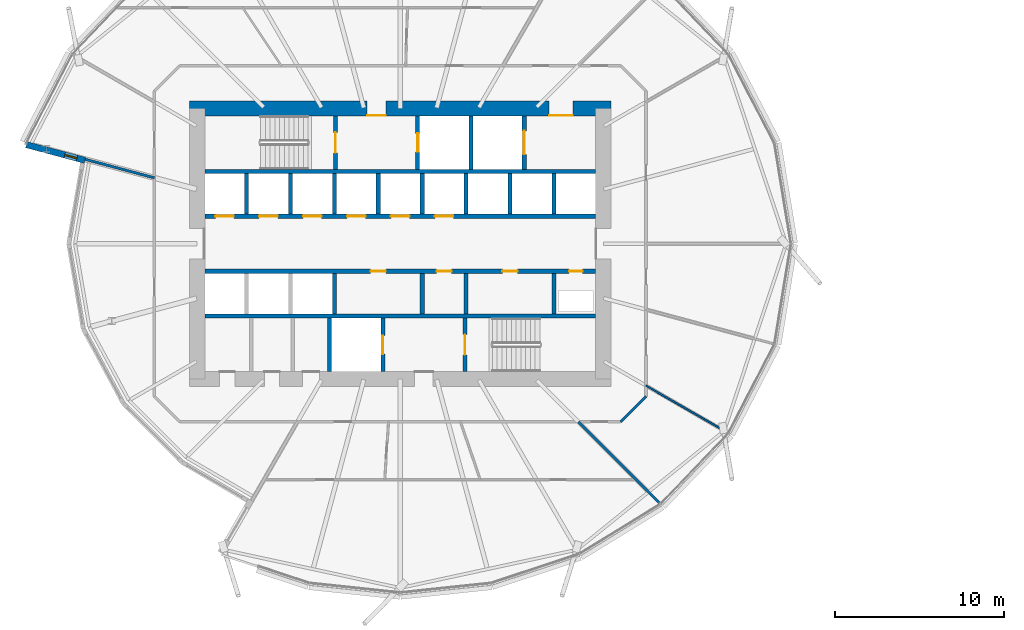
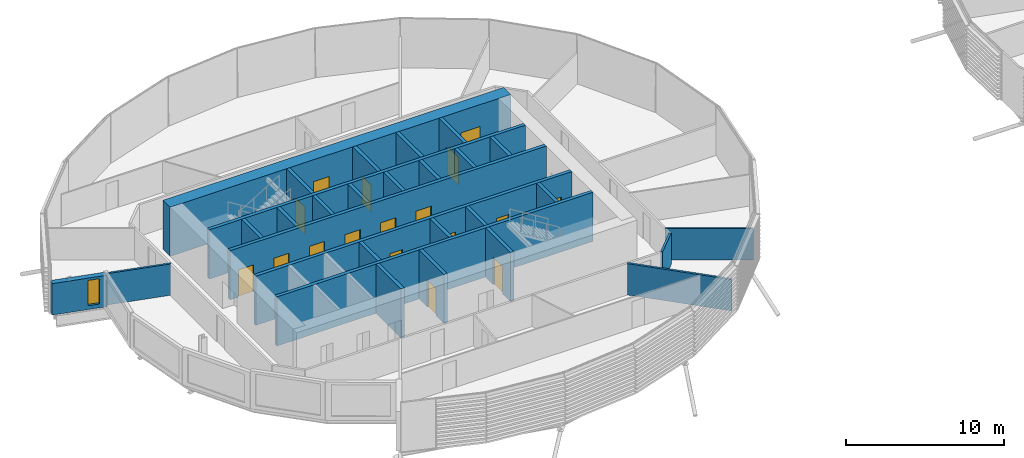
# One storey, part 22 of 37: 29 walls, 17 doors, 1 window, 18 openings.
"""IFC4 building model written with IfcOpenShell, lengths in metres."""

from ifc_helpers import new_model, si_unit, direction, frame, frame_2d, origin, place, context, subcontext, project, spatial, rectangle, extrude, material, layer, layer_set, type_object, element, fill, save


model = new_model("IFC4")

# Units and contexts
model_context = context("Model", 3, precision=1e-05, world=origin(), true_north=direction((0.0, 1.0)))
body_context = subcontext(model_context, "Body", "Model", "MODEL_VIEW")
ifc_project = project(units=[si_unit("LENGTHUNIT", "METRE"), si_unit("AREAUNIT", "SQUARE_METRE"), si_unit("VOLUMEUNIT", "CUBIC_METRE"), si_unit("PLANEANGLEUNIT", "RADIAN"), si_unit("MASSUNIT", "GRAM", prefix="KILO")], contexts=[model_context])

# Site, building, storey
site_placement = place(None, origin())
site = spatial("IfcSite", under=ifc_project, at=site_placement, CompositionType="ELEMENT")
building_placement = place(site_placement, origin())
building = spatial("IfcBuilding", under=site, at=building_placement, Name="Rimbun Link Towers", CompositionType="ELEMENT")
storey_placement = place(building_placement, frame((0.0, 0.0, 60.39990234375)))
storey = spatial("IfcBuildingStorey", under=building, at=storey_placement, Name="L14", CompositionType="ELEMENT", Elevation=60.39990234375)

# Wall, opening, window
ifc_material_1 = material(Name="Dark enamelled glass spandrel on insulated aluminium backpan", Category="aluminium")
ifc_layer_1 = layer(ifc_material_1, 0.3701171875)
ifc_layer_set_1 = layer_set([ifc_layer_1], Name="CS dark enamelled spandrel wall 370")
wall_type_1 = type_object("IfcWallType", Name="CS dark enamelled spandrel wall 370", PredefinedType="STANDARD", material=ifc_layer_set_1)
wall_1_placement = place(storey_placement, frame((-50.38671875, 4.926513671875, 0.0), z_axis=(0.0, 0.0, 1.0), x_axis=(-0.965929787715, 0.258804260405, 0.0)))
wall_1 = element("IfcWall", 1, at=wall_1_placement, inside=storey, type_object=wall_type_1, Name="Crease spandrel wall", PredefinedType="STANDARD", context=body_context, shape_type="SweptSolid", body=[
    extrude(rectangle(XDim=3.580078125, YDim=0.3701171875, at=frame_2d((1.7900390625, 0.0))), origin(), (0.0, 0.0, 1.0), 2.43017578125),
])
opening_1_placement = place(wall_1_placement, frame((0.48193359375, 0.0, 0.300048828125)))
opening_1 = element("IfcOpeningElement", 2, at=opening_1_placement, cuts=wall_1, Name="Opening WR08H195", PredefinedType="OPENING", context=body_context, shape_type="SweptSolid", body=[
    extrude(rectangle(XDim=0.75, YDim=1.949951171875, at=frame_2d((0.375, 0.97509765625))), frame((0.0, 0.195068359375, 0.0), z_axis=(0.0, -1.0, 0.0), x_axis=(1.0, 0.0, 0.0)), (0.0, 0.0, 1.0), 0.39013671875),
])
ifc_material_2 = material(Name="Aluminium framed fixed window, dark tinted low-e glass", Category="aluminium")
window_type = type_object("IfcWindowType", Name="WR ribbon window 750X1950", PartitioningType="SINGLE_PANEL", PredefinedType="WINDOW", material=ifc_material_2)
window_placement = place(opening_1_placement, origin())
window = element("IfcWindow", 3, at=window_placement, inside=storey, type_object=window_type, Name="Crease ribbon window", OverallHeight=1.949951171875, OverallWidth=0.75, PartitioningType="SINGLE_PANEL", PredefinedType="WINDOW", context=body_context, shape_type="SweptSolid", body=[
    extrude(rectangle(XDim=0.75, YDim=1.949951171875, at=frame_2d((0.375, 0.97509765625))), frame((0.0, 0.030029296875, 0.0), z_axis=(0.0, -1.0, 0.0), x_axis=(1.0, 0.0, 0.0)), (0.0, 0.0, 1.0), 0.06005859375),
])
fill(opening_1, window)

# Wall, openings, doors
ifc_material_3 = material(Name="Concrete C60/75", Category="concrete")
ifc_layer_2 = layer(ifc_material_3, 0.89990234375)
ifc_layer_set_2 = layer_set([ifc_layer_2], Name="Core shear wall 900")
wall_type_2 = type_object("IfcWallType", Name="Core shear wall 900", PredefinedType="SHEAR", material=ifc_layer_set_2)
wall_2_placement = place(storey_placement, frame((-44.199951171875, 8.0, 0.0), z_axis=(0.0, 0.0, 1.0), x_axis=(1.0, 0.0, 0.0)))
wall_2 = element("IfcWall", 4, at=wall_2_placement, inside=storey, type_object=wall_type_2, Name="L14 T1 core wall N", PredefinedType="SHEAR", context=body_context, shape_type="SweptSolid", body=[
    extrude(rectangle(XDim=24.89990234375, YDim=0.89990234375, at=frame_2d((12.449951171875, 0.0))), origin(), (0.0, 0.0, 1.0), 3.800048828125),
])
opening_2_placement = place(wall_2_placement, frame((10.5, 0.0, 0.0)))
opening_2 = element("IfcOpeningElement", 5, at=opening_2_placement, cuts=wall_2, Name="Opening C1DCF01N", PredefinedType="OPENING", context=body_context, shape_type="SweptSolid", body=[
    extrude(rectangle(XDim=1.10009765625, YDim=2.10009765625, at=frame_2d((0.550048828125, 1.050048828125))), frame((0.0, 0.4599609375, 0.0), z_axis=(0.0, -1.0, 0.0), x_axis=(1.0, 0.0, 0.0)), (0.0, 0.0, 1.0), 0.919921875),
])
opening_3_placement = place(wall_2_placement, frame((21.25, 0.0, 0.0)))
opening_3 = element("IfcOpeningElement", 6, at=opening_3_placement, cuts=wall_2, Name="Opening C1DSL02N", PredefinedType="OPENING", context=body_context, shape_type="SweptSolid", body=[
    extrude(rectangle(XDim=1.39990234375, YDim=2.10009765625, at=frame_2d((0.699951171875, 1.050048828125))), frame((0.0, 0.4599609375, 0.0), z_axis=(0.0, -1.0, 0.0), x_axis=(1.0, 0.0, 0.0)), (0.0, 0.0, 1.0), 0.919921875),
])
ifc_material_4 = material(Name="Steel fire door set", Category="steel")
door_type_1 = type_object("IfcDoorType", Name="Core fire door single", OperationType="SINGLE_SWING_LEFT", PredefinedType="DOOR", material=ifc_material_4)
door_1_placement = place(opening_2_placement, origin())
door_1 = element("IfcDoor", 7, at=door_1_placement, inside=storey, type_object=door_type_1, Name="L14 T1 firefighting lobby n door", OperationType="SINGLE_SWING_LEFT", OverallHeight=2.10009765625, OverallWidth=1.10009765625, PredefinedType="DOOR", context=body_context, shape_type="SweptSolid", body=[
    extrude(rectangle(XDim=1.10009765625, YDim=2.10009765625, at=frame_2d((0.550048828125, 1.050048828125))), frame((0.0, -0.39990234375, 0.0), z_axis=(0.0, -1.0, 0.0), x_axis=(1.0, 0.0, 0.0)), (0.0, 0.0, 1.0), 0.050048828125),
])
fill(opening_2, door_1)
ifc_material_5 = material(Name="Steel fire door set", Category="steel")
door_type_2 = type_object("IfcDoorType", Name="Service lobby door double", OperationType="DOUBLE_DOOR_SINGLE_SWING", PredefinedType="DOOR", material=ifc_material_5)
door_2_placement = place(opening_3_placement, origin())
door_2 = element("IfcDoor", 8, at=door_2_placement, inside=storey, type_object=door_type_2, Name="L14 T1 service lobby door", OperationType="DOUBLE_DOOR_SINGLE_SWING", OverallHeight=2.10009765625, OverallWidth=1.39990234375, PredefinedType="DOOR", context=body_context, shape_type="SweptSolid", body=[
    extrude(rectangle(XDim=1.39990234375, YDim=2.10009765625, at=frame_2d((0.699951171875, 1.050048828125))), frame((0.0, -0.39990234375, 0.0), z_axis=(0.0, -1.0, 0.0), x_axis=(1.0, 0.0, 0.0)), (0.0, 0.0, 1.0), 0.050048828125),
])
fill(opening_3, door_2)

# Walls
ifc_material_6 = material(Name="Plasterboard on steel stud, mineral wool", Category="steel")
ifc_layer_3 = layer(ifc_material_6, 0.14990234375)
ifc_layer_set_3 = layer_set([ifc_layer_3], Name="Corridor wall EI 30 150 mm")
wall_type_3 = type_object("IfcWallType", Name="Corridor wall EI 30 150 mm", PredefinedType="PARTITIONING", material=ifc_layer_set_3)
wall_3_placement = place(storey_placement, frame((-18.723388671875, -10.52490234375, 0.0), z_axis=(0.0, 0.0, 1.0), x_axis=(0.707106781187, 0.707106781187, 0.0)))
element("IfcWall", 9, at=wall_3_placement, inside=storey, type_object=wall_type_3, Name="Corridor wall EI 30 150 mm", PredefinedType="PARTITIONING", context=body_context, shape_type="SweptSolid", body=[
    extrude(rectangle(XDim=2.118896484375, YDim=0.14990234375, at=frame_2d((1.0595703125, 0.0))), origin(), (0.0, 0.0, 1.0), 2.420166015625),
])
ifc_material_7 = material(Name="Plasterboard on steel stud", Category="steel")
ifc_layer_4 = layer(ifc_material_7, 0.10009765625)
ifc_layer_set_4 = layer_set([ifc_layer_4], Name="Plasterboard partition 100 mm")
wall_type_4 = type_object("IfcWallType", Name="Plasterboard partition 100 mm", PredefinedType="PARTITIONING", material=ifc_layer_set_4)
wall_4_placement = place(storey_placement, frame((-12.37646484375, -11.185302734375, 0.0), z_axis=(0.0, 0.0, 1.0), x_axis=(-0.866028733576, 0.499994232587, 0.0)))
element("IfcWall", 10, at=wall_4_placement, inside=storey, type_object=wall_type_4, Name="Plasterboard partition 100 mm", PredefinedType="PARTITIONING", context=body_context, shape_type="SweptSolid", body=[
    extrude(rectangle(XDim=5.5986328125, YDim=0.10009765625, at=frame_2d((2.79931640625, 0.0))), origin(), (0.0, 0.0, 1.0), 2.420166015625),
])
ifc_material_8 = material(Name="Concrete C60/75", Category="concrete")
ifc_layer_5 = layer(ifc_material_8, 0.25)
ifc_layer_set_5 = layer_set([ifc_layer_5], Name="Shaft wall 250")
wall_type_5 = type_object("IfcWallType", Name="Shaft wall 250", PredefinedType="SHEAR", material=ifc_layer_set_5)
for number, where, z_axis, x_axis, name in (
    (11, (-43.300048828125, 4.27490234375, 0.0), (0.0, 0.0, 1.0), (1.0, 0.0, 0.0), "L14 T1 core wall BN"),
    (12, (-43.300048828125, -4.27490234375, 0.0), (0.0, 0.0, 1.0), (1.0, 0.0, 0.0), "L14 T1 core wall BS"),
):
    element("IfcWall", number, at=place(storey_placement, frame(where, z_axis=z_axis, x_axis=x_axis)), inside=storey, type_object=wall_type_5, Name=name, PredefinedType="SHEAR", context=body_context, shape_type="SweptSolid", body=[
        extrude(rectangle(XDim=23.10009765625, YDim=0.25, at=frame_2d((11.550048828125, 0.0))), origin(), (0.0, 0.0, 1.0), 3.800048828125),
    ])

# Wall, openings, doors
wall_5_placement = place(storey_placement, frame((-43.300048828125, 1.625, 0.0), z_axis=(0.0, 0.0, 1.0), x_axis=(1.0, 0.0, 0.0)))
wall_5 = element("IfcWall", 13, at=wall_5_placement, inside=storey, type_object=wall_type_5, Name="L14 T1 core wall FN", PredefinedType="SHEAR", context=body_context, shape_type="SweptSolid", body=[
    extrude(rectangle(XDim=23.10009765625, YDim=0.25, at=frame_2d((11.550048828125, 0.0))), origin(), (0.0, 0.0, 1.0), 3.800048828125),
])
opening_4_placement = place(wall_5_placement, frame((0.622314453125, 0.0, 0.0)))
opening_4 = element("IfcOpeningElement", 14, at=opening_4_placement, cuts=wall_5, Name="Opening LD-T1-LR1", PredefinedType="OPENING", context=body_context, shape_type="SweptSolid", body=[
    extrude(rectangle(XDim=1.10009765625, YDim=2.10009765625, at=frame_2d((0.550048828125, 1.050048828125))), frame((0.0, 0.135009765625, 0.0), z_axis=(0.0, -1.0, 0.0), x_axis=(1.0, 0.0, 0.0)), (0.0, 0.0, 1.0), 0.27001953125),
])
opening_5_placement = place(wall_5_placement, frame((3.216796875, 0.0, 0.0)))
opening_5 = element("IfcOpeningElement", 15, at=opening_5_placement, cuts=wall_5, Name="Opening LD-T1-LR2", PredefinedType="OPENING", context=body_context, shape_type="SweptSolid", body=[
    extrude(rectangle(XDim=1.10009765625, YDim=2.10009765625, at=frame_2d((0.550048828125, 1.050048828125))), frame((0.0, 0.135009765625, 0.0), z_axis=(0.0, -1.0, 0.0), x_axis=(1.0, 0.0, 0.0)), (0.0, 0.0, 1.0), 0.27001953125),
])
opening_6_placement = place(wall_5_placement, frame((5.81103515625, 0.0, 0.0)))
opening_6 = element("IfcOpeningElement", 16, at=opening_6_placement, cuts=wall_5, Name="Opening LD-T1-LR3", PredefinedType="OPENING", context=body_context, shape_type="SweptSolid", body=[
    extrude(rectangle(XDim=1.10009765625, YDim=2.10009765625, at=frame_2d((0.550048828125, 1.050048828125))), frame((0.0, 0.135009765625, 0.0), z_axis=(0.0, -1.0, 0.0), x_axis=(1.0, 0.0, 0.0)), (0.0, 0.0, 1.0), 0.27001953125),
])
opening_7_placement = place(wall_5_placement, frame((8.405517578125, 0.0, 0.0)))
opening_7 = element("IfcOpeningElement", 17, at=opening_7_placement, cuts=wall_5, Name="Opening LD-T1-LR4", PredefinedType="OPENING", context=body_context, shape_type="SweptSolid", body=[
    extrude(rectangle(XDim=1.10009765625, YDim=2.10009765625, at=frame_2d((0.550048828125, 1.050048828125))), frame((0.0, 0.135009765625, 0.0), z_axis=(0.0, -1.0, 0.0), x_axis=(1.0, 0.0, 0.0)), (0.0, 0.0, 1.0), 0.27001953125),
])
opening_8_placement = place(wall_5_placement, frame((11.0, 0.0, 0.0)))
opening_8 = element("IfcOpeningElement", 18, at=opening_8_placement, cuts=wall_5, Name="Opening LD-T1-LR5", PredefinedType="OPENING", context=body_context, shape_type="SweptSolid", body=[
    extrude(rectangle(XDim=1.10009765625, YDim=2.10009765625, at=frame_2d((0.550048828125, 1.050048828125))), frame((0.0, 0.135009765625, 0.0), z_axis=(0.0, -1.0, 0.0), x_axis=(1.0, 0.0, 0.0)), (0.0, 0.0, 1.0), 0.27001953125),
])
opening_9_placement = place(wall_5_placement, frame((13.594482421875, 0.0, 0.0)))
opening_9 = element("IfcOpeningElement", 19, at=opening_9_placement, cuts=wall_5, Name="Opening LD-T1-LR6", PredefinedType="OPENING", context=body_context, shape_type="SweptSolid", body=[
    extrude(rectangle(XDim=1.10009765625, YDim=2.10009765625, at=frame_2d((0.550048828125, 1.050048828125))), frame((0.0, 0.135009765625, 0.0), z_axis=(0.0, -1.0, 0.0), x_axis=(1.0, 0.0, 0.0)), (0.0, 0.0, 1.0), 0.27001953125),
])
ifc_material_9 = material(Name="Stainless steel grade 316", Category="steel")
door_type_3 = type_object("IfcDoorType", Name="Lift landing door", OperationType="DOUBLE_DOOR_SLIDING", PredefinedType="DOOR", material=ifc_material_9)
door_3_placement = place(opening_4_placement, origin())
door_3 = element("IfcDoor", 20, at=door_3_placement, inside=storey, type_object=door_type_3, Name="L14 T1 lift LR1 landing door", OperationType="DOUBLE_DOOR_SLIDING", OverallHeight=2.10009765625, OverallWidth=1.10009765625, PredefinedType="DOOR", context=body_context, shape_type="SweptSolid", body=[
    extrude(rectangle(XDim=1.10009765625, YDim=2.10009765625, at=frame_2d((0.550048828125, 1.050048828125))), frame((0.0, 0.02490234375, 0.0), z_axis=(0.0, -1.0, 0.0), x_axis=(1.0, 0.0, 0.0)), (0.0, 0.0, 1.0), 0.050048828125),
])
fill(opening_4, door_3)
door_4_placement = place(opening_5_placement, origin())
door_4 = element("IfcDoor", 21, at=door_4_placement, inside=storey, type_object=door_type_3, Name="L14 T1 lift LR2 landing door", OperationType="DOUBLE_DOOR_SLIDING", OverallHeight=2.10009765625, OverallWidth=1.10009765625, PredefinedType="DOOR", context=body_context, shape_type="SweptSolid", body=[
    extrude(rectangle(XDim=1.10009765625, YDim=2.10009765625, at=frame_2d((0.550048828125, 1.050048828125))), frame((0.0, 0.02490234375, 0.0), z_axis=(0.0, -1.0, 0.0), x_axis=(1.0, 0.0, 0.0)), (0.0, 0.0, 1.0), 0.050048828125),
])
fill(opening_5, door_4)
door_5_placement = place(opening_6_placement, origin())
door_5 = element("IfcDoor", 22, at=door_5_placement, inside=storey, type_object=door_type_3, Name="L14 T1 lift LR3 landing door", OperationType="DOUBLE_DOOR_SLIDING", OverallHeight=2.10009765625, OverallWidth=1.10009765625, PredefinedType="DOOR", context=body_context, shape_type="SweptSolid", body=[
    extrude(rectangle(XDim=1.10009765625, YDim=2.10009765625, at=frame_2d((0.550048828125, 1.050048828125))), frame((0.0, 0.02490234375, 0.0), z_axis=(0.0, -1.0, 0.0), x_axis=(1.0, 0.0, 0.0)), (0.0, 0.0, 1.0), 0.050048828125),
])
fill(opening_6, door_5)
door_6_placement = place(opening_7_placement, origin())
door_6 = element("IfcDoor", 23, at=door_6_placement, inside=storey, type_object=door_type_3, Name="L14 T1 lift LR4 landing door", OperationType="DOUBLE_DOOR_SLIDING", OverallHeight=2.10009765625, OverallWidth=1.10009765625, PredefinedType="DOOR", context=body_context, shape_type="SweptSolid", body=[
    extrude(rectangle(XDim=1.10009765625, YDim=2.10009765625, at=frame_2d((0.550048828125, 1.050048828125))), frame((0.0, 0.02490234375, 0.0), z_axis=(0.0, -1.0, 0.0), x_axis=(1.0, 0.0, 0.0)), (0.0, 0.0, 1.0), 0.050048828125),
])
fill(opening_7, door_6)
door_7_placement = place(opening_8_placement, origin())
door_7 = element("IfcDoor", 24, at=door_7_placement, inside=storey, type_object=door_type_3, Name="L14 T1 lift LR5 landing door", OperationType="DOUBLE_DOOR_SLIDING", OverallHeight=2.10009765625, OverallWidth=1.10009765625, PredefinedType="DOOR", context=body_context, shape_type="SweptSolid", body=[
    extrude(rectangle(XDim=1.10009765625, YDim=2.10009765625, at=frame_2d((0.550048828125, 1.050048828125))), frame((0.0, 0.02490234375, 0.0), z_axis=(0.0, -1.0, 0.0), x_axis=(1.0, 0.0, 0.0)), (0.0, 0.0, 1.0), 0.050048828125),
])
fill(opening_8, door_7)
door_8_placement = place(opening_9_placement, origin())
door_8 = element("IfcDoor", 25, at=door_8_placement, inside=storey, type_object=door_type_3, Name="L14 T1 lift LR6 landing door", OperationType="DOUBLE_DOOR_SLIDING", OverallHeight=2.10009765625, OverallWidth=1.10009765625, PredefinedType="DOOR", context=body_context, shape_type="SweptSolid", body=[
    extrude(rectangle(XDim=1.10009765625, YDim=2.10009765625, at=frame_2d((0.550048828125, 1.050048828125))), frame((0.0, 0.02490234375, 0.0), z_axis=(0.0, -1.0, 0.0), x_axis=(1.0, 0.0, 0.0)), (0.0, 0.0, 1.0), 0.050048828125),
])
fill(opening_9, door_8)

wall_6_placement = place(storey_placement, frame((-43.300048828125, -1.625, 0.0), z_axis=(0.0, 0.0, 1.0), x_axis=(1.0, 0.0, 0.0)))
wall_6 = element("IfcWall", 26, at=wall_6_placement, inside=storey, type_object=wall_type_5, Name="L14 T1 core wall FS", PredefinedType="SHEAR", context=body_context, shape_type="SweptSolid", body=[
    extrude(rectangle(XDim=23.10009765625, YDim=0.25, at=frame_2d((11.550048828125, 0.0))), origin(), (0.0, 0.0, 1.0), 3.800048828125),
])
opening_10_placement = place(wall_6_placement, frame((9.802734375, 0.0, 0.0)))
opening_10 = element("IfcOpeningElement", 27, at=opening_10_placement, cuts=wall_6, Name="Opening C1DRS01FS", PredefinedType="OPENING", context=body_context, shape_type="SweptSolid", body=[
    extrude(rectangle(XDim=0.89990234375, YDim=2.10009765625, at=frame_2d((0.449951171875, 1.050048828125))), frame((0.0, 0.135009765625, 0.0), z_axis=(0.0, -1.0, 0.0), x_axis=(1.0, 0.0, 0.0)), (0.0, 0.0, 1.0), 0.27001953125),
])
opening_11_placement = place(wall_6_placement, frame((13.6943359375, 0.0, 0.0)))
opening_11 = element("IfcOpeningElement", 28, at=opening_11_placement, cuts=wall_6, Name="Opening C1DRS02FS", PredefinedType="OPENING", context=body_context, shape_type="SweptSolid", body=[
    extrude(rectangle(XDim=0.89990234375, YDim=2.10009765625, at=frame_2d((0.449951171875, 1.050048828125))), frame((0.0, 0.135009765625, 0.0), z_axis=(0.0, -1.0, 0.0), x_axis=(1.0, 0.0, 0.0)), (0.0, 0.0, 1.0), 0.27001953125),
])
opening_12_placement = place(wall_6_placement, frame((17.586181640625, 0.0, 0.0)))
opening_12 = element("IfcOpeningElement", 29, at=opening_12_placement, cuts=wall_6, Name="Opening C1DRS03FS", PredefinedType="OPENING", context=body_context, shape_type="SweptSolid", body=[
    extrude(rectangle(XDim=0.89990234375, YDim=2.10009765625, at=frame_2d((0.449951171875, 1.050048828125))), frame((0.0, 0.135009765625, 0.0), z_axis=(0.0, -1.0, 0.0), x_axis=(1.0, 0.0, 0.0)), (0.0, 0.0, 1.0), 0.27001953125),
])
opening_13_placement = place(wall_6_placement, frame((21.52783203125, 0.0, 0.0)))
opening_13 = element("IfcOpeningElement", 30, at=opening_13_placement, cuts=wall_6, Name="Opening C1DRA04FS", PredefinedType="OPENING", context=body_context, shape_type="SweptSolid", body=[
    extrude(rectangle(XDim=0.800048828125, YDim=2.10009765625, at=frame_2d((0.39990234375, 1.050048828125))), frame((0.0, 0.135009765625, 0.0), z_axis=(0.0, -1.0, 0.0), x_axis=(1.0, 0.0, 0.0)), (0.0, 0.0, 1.0), 0.27001953125),
])
ifc_material_10 = material(Name="Steel fire door set", Category="steel")
door_type_4 = type_object("IfcDoorType", Name="Core riser door", OperationType="SINGLE_SWING_LEFT", PredefinedType="DOOR", material=ifc_material_10)
door_9_placement = place(opening_10_placement, origin())
door_9 = element("IfcDoor", 31, at=door_9_placement, inside=storey, type_object=door_type_4, Name="L14 T1 mail room door", OperationType="SINGLE_SWING_RIGHT", OverallHeight=2.10009765625, OverallWidth=0.89990234375, PredefinedType="DOOR", context=body_context, shape_type="SweptSolid", body=[
    extrude(rectangle(XDim=0.89990234375, YDim=2.10009765625, at=frame_2d((0.449951171875, 1.050048828125))), frame((0.0, 0.02490234375, 0.0), z_axis=(0.0, -1.0, 0.0), x_axis=(1.0, 0.0, 0.0)), (0.0, 0.0, 1.0), 0.050048828125),
])
fill(opening_10, door_9)
door_10_placement = place(opening_11_placement, origin())
door_10 = element("IfcDoor", 32, at=door_10_placement, inside=storey, type_object=door_type_4, Name="L14 T1 it cupboard door", OperationType="SINGLE_SWING_LEFT", OverallHeight=2.10009765625, OverallWidth=0.89990234375, PredefinedType="DOOR", context=body_context, shape_type="SweptSolid", body=[
    extrude(rectangle(XDim=0.89990234375, YDim=2.10009765625, at=frame_2d((0.449951171875, 1.050048828125))), frame((0.0, 0.02490234375, 0.0), z_axis=(0.0, -1.0, 0.0), x_axis=(1.0, 0.0, 0.0)), (0.0, 0.0, 1.0), 0.050048828125),
])
fill(opening_11, door_10)
door_11_placement = place(opening_12_placement, origin())
door_11 = element("IfcDoor", 33, at=door_11_placement, inside=storey, type_object=door_type_4, Name="L14 T1 pantry door", OperationType="SINGLE_SWING_LEFT", OverallHeight=2.10009765625, OverallWidth=0.89990234375, PredefinedType="DOOR", context=body_context, shape_type="SweptSolid", body=[
    extrude(rectangle(XDim=0.89990234375, YDim=2.10009765625, at=frame_2d((0.449951171875, 1.050048828125))), frame((0.0, 0.02490234375, 0.0), z_axis=(0.0, -1.0, 0.0), x_axis=(1.0, 0.0, 0.0)), (0.0, 0.0, 1.0), 0.050048828125),
])
fill(opening_12, door_11)
ifc_material_11 = material(Name="Steel fire door set", Category="steel")
door_type_5 = type_object("IfcDoorType", Name="Riser access door 800 x 2100", OperationType="SINGLE_SWING_LEFT", PredefinedType="DOOR", material=ifc_material_11)
door_12_placement = place(opening_13_placement, origin())
door_12 = element("IfcDoor", 34, at=door_12_placement, inside=storey, type_object=door_type_5, Name="L14 T1 riser cupboard door", OperationType="SINGLE_SWING_LEFT", OverallHeight=2.10009765625, OverallWidth=0.800048828125, PredefinedType="DOOR", context=body_context, shape_type="SweptSolid", body=[
    extrude(rectangle(XDim=0.800048828125, YDim=2.10009765625, at=frame_2d((0.39990234375, 1.050048828125))), frame((0.0, 0.02490234375, 0.0), z_axis=(0.0, -1.0, 0.0), x_axis=(1.0, 0.0, 0.0)), (0.0, 0.0, 1.0), 0.050048828125),
])
fill(opening_13, door_12)

# Walls
for number, where, z_axis, x_axis, name in (
    (35, (-40.83056640625, 1.75, 0.0), (0.0, 0.0, 1.0), (0.0, 1.0, 0.0), "L14 T1 core wall DN0"),
    (36, (-38.236083984375, 1.75, 0.0), (0.0, 0.0, 1.0), (0.0, 1.0, 0.0), "L14 T1 core wall DN1"),
    (37, (-35.6416015625, 1.75, 0.0), (0.0, 0.0, 1.0), (0.0, 1.0, 0.0), "L14 T1 core wall DN2"),
    (38, (-33.047119140625, 1.75, 0.0), (0.0, 0.0, 1.0), (0.0, 1.0, 0.0), "L14 T1 core wall DN3"),
    (39, (-30.452880859375, 1.75, 0.0), (0.0, 0.0, 1.0), (0.0, 1.0, 0.0), "L14 T1 core wall DN4"),
    (40, (-27.8583984375, 1.75, 0.0), (0.0, 0.0, 1.0), (0.0, 1.0, 0.0), "L14 T1 core wall DN5"),
    (41, (-25.263916015625, 1.75, 0.0), (0.0, 0.0, 1.0), (0.0, 1.0, 0.0), "L14 T1 core wall DN6"),
    (42, (-22.66943359375, 1.75, 0.0), (0.0, 0.0, 1.0), (0.0, 1.0, 0.0), "L14 T1 core wall DN7"),
    (43, (-35.6416015625, -4.14990234375, 0.0), (0.0, 0.0, 1.0), (0.0, 1.0, 0.0), "L14 T1 core wall DS2"),
    (44, (-30.452880859375, -4.14990234375, 0.0), (0.0, 0.0, 1.0), (0.0, 1.0, 0.0), "L14 T1 core wall DS4"),
    (45, (-27.8583984375, -4.14990234375, 0.0), (0.0, 0.0, 1.0), (0.0, 1.0, 0.0), "L14 T1 core wall DS5"),
    (46, (-22.66943359375, -4.14990234375, 0.0), (0.0, 0.0, 1.0), (0.0, 1.0, 0.0), "L14 T1 core wall DS7"),
):
    element("IfcWall", number, at=place(storey_placement, frame(where, z_axis=z_axis, x_axis=x_axis)), inside=storey, type_object=wall_type_5, Name=name, PredefinedType="SHEAR", context=body_context, shape_type="SweptSolid", body=[
        extrude(rectangle(XDim=2.39990234375, YDim=0.25, at=frame_2d((1.199951171875, 0.0))), origin(), (0.0, 0.0, 1.0), 3.800048828125),
    ])

# Wall, opening, door
wall_7_placement = place(storey_placement, frame((-35.574951171875, 4.39990234375, 0.0), z_axis=(0.0, 0.0, 1.0), x_axis=(0.0, 1.0, 0.0)))
wall_7 = element("IfcWall", 47, at=wall_7_placement, inside=storey, type_object=wall_type_5, Name="L14 T1 core wall A1", PredefinedType="SHEAR", context=body_context, shape_type="SweptSolid", body=[
    extrude(rectangle(XDim=3.150146484375, YDim=0.25, at=frame_2d((1.5751953125, 0.0))), origin(), (0.0, 0.0, 1.0), 3.800048828125),
])
opening_14_placement = place(wall_7_placement, frame((0.97509765625, 0.0, 0.0)))
opening_14 = element("IfcOpeningElement", 48, at=opening_14_placement, cuts=wall_7, Name="Opening C1DST01A1", PredefinedType="OPENING", context=body_context, shape_type="SweptSolid", body=[
    extrude(rectangle(XDim=1.199951171875, YDim=2.10009765625, at=frame_2d((0.60009765625, 1.050048828125))), frame((0.0, 0.135009765625, 0.0), z_axis=(0.0, -1.0, 0.0), x_axis=(1.0, 0.0, 0.0)), (0.0, 0.0, 1.0), 0.27001953125),
])
ifc_material_12 = material(Name="Steel fire door set", Category="steel")
door_type_6 = type_object("IfcDoorType", Name="Stair door", OperationType="SINGLE_SWING_LEFT", PredefinedType="DOOR", material=ifc_material_12)
door_13_placement = place(opening_14_placement, origin())
door_13 = element("IfcDoor", 49, at=door_13_placement, inside=storey, type_object=door_type_6, Name="L14 T1 stair a door", OperationType="SINGLE_SWING_RIGHT", OverallHeight=2.10009765625, OverallWidth=1.199951171875, PredefinedType="DOOR", context=body_context, shape_type="SweptSolid", body=[
    extrude(rectangle(XDim=1.199951171875, YDim=2.10009765625, at=frame_2d((0.60009765625, 1.050048828125))), frame((0.0, 0.02490234375, 0.0), z_axis=(0.0, -1.0, 0.0), x_axis=(1.0, 0.0, 0.0)), (0.0, 0.0, 1.0), 0.050048828125),
])
fill(opening_14, door_13)

wall_8_placement = place(storey_placement, frame((-30.72509765625, 4.39990234375, 0.0), z_axis=(0.0, 0.0, 1.0), x_axis=(0.0, 1.0, 0.0)))
wall_8 = element("IfcWall", 50, at=wall_8_placement, inside=storey, type_object=wall_type_5, Name="L14 T1 core wall A2", PredefinedType="SHEAR", context=body_context, shape_type="SweptSolid", body=[
    extrude(rectangle(XDim=3.150146484375, YDim=0.25, at=frame_2d((1.5751953125, 0.0))), origin(), (0.0, 0.0, 1.0), 3.800048828125),
])
opening_15_placement = place(wall_8_placement, frame((1.02490234375, 0.0, 0.0)))
opening_15 = element("IfcOpeningElement", 51, at=opening_15_placement, cuts=wall_8, Name="Opening LD-T1-FF1", PredefinedType="OPENING", context=body_context, shape_type="SweptSolid", body=[
    extrude(rectangle(XDim=1.10009765625, YDim=2.10009765625, at=frame_2d((0.550048828125, 1.050048828125))), frame((0.0, 0.135009765625, 0.0), z_axis=(0.0, -1.0, 0.0), x_axis=(1.0, 0.0, 0.0)), (0.0, 0.0, 1.0), 0.27001953125),
])
door_14_placement = place(opening_15_placement, origin())
door_14 = element("IfcDoor", 52, at=door_14_placement, inside=storey, type_object=door_type_3, Name="L14 T1 lift FF1 landing door", OperationType="DOUBLE_DOOR_SLIDING", OverallHeight=2.10009765625, OverallWidth=1.10009765625, PredefinedType="DOOR", context=body_context, shape_type="SweptSolid", body=[
    extrude(rectangle(XDim=1.10009765625, YDim=2.10009765625, at=frame_2d((0.550048828125, 1.050048828125))), frame((0.0, 0.02490234375, 0.0), z_axis=(0.0, -1.0, 0.0), x_axis=(1.0, 0.0, 0.0)), (0.0, 0.0, 1.0), 0.050048828125),
])
fill(opening_15, door_14)

# Wall
wall_9_placement = place(storey_placement, frame((-27.574951171875, 4.39990234375, 0.0), z_axis=(0.0, 0.0, 1.0), x_axis=(0.0, 1.0, 0.0)))
element("IfcWall", 53, at=wall_9_placement, inside=storey, type_object=wall_type_5, Name="L14 T1 core wall A3", PredefinedType="SHEAR", context=body_context, shape_type="SweptSolid", body=[
    extrude(rectangle(XDim=3.150146484375, YDim=0.25, at=frame_2d((1.5751953125, 0.0))), origin(), (0.0, 0.0, 1.0), 3.800048828125),
])

# Wall, opening, door
wall_10_placement = place(storey_placement, frame((-24.425048828125, 4.39990234375, 0.0), z_axis=(0.0, 0.0, 1.0), x_axis=(0.0, 1.0, 0.0)))
wall_10 = element("IfcWall", 54, at=wall_10_placement, inside=storey, type_object=wall_type_5, Name="L14 T1 core wall A4", PredefinedType="SHEAR", context=body_context, shape_type="SweptSolid", body=[
    extrude(rectangle(XDim=3.150146484375, YDim=0.25, at=frame_2d((1.5751953125, 0.0))), origin(), (0.0, 0.0, 1.0), 3.800048828125),
])
opening_16_placement = place(wall_10_placement, frame((0.875, 0.0, 0.0)))
opening_16 = element("IfcOpeningElement", 55, at=opening_16_placement, cuts=wall_10, Name="Opening LD-T1-GL1", PredefinedType="OPENING", context=body_context, shape_type="SweptSolid", body=[
    extrude(rectangle(XDim=1.39990234375, YDim=2.10009765625, at=frame_2d((0.699951171875, 1.050048828125))), frame((0.0, 0.135009765625, 0.0), z_axis=(0.0, -1.0, 0.0), x_axis=(1.0, 0.0, 0.0)), (0.0, 0.0, 1.0), 0.27001953125),
])
ifc_material_13 = material(Name="Stainless steel grade 316", Category="steel")
door_type_7 = type_object("IfcDoorType", Name="Goods lift landing door", OperationType="DOUBLE_DOOR_SLIDING", PredefinedType="DOOR", material=ifc_material_13)
door_15_placement = place(opening_16_placement, origin())
door_15 = element("IfcDoor", 56, at=door_15_placement, inside=storey, type_object=door_type_7, Name="L14 T1 lift GL1 landing door", OperationType="DOUBLE_DOOR_SLIDING", OverallHeight=2.10009765625, OverallWidth=1.39990234375, PredefinedType="DOOR", context=body_context, shape_type="SweptSolid", body=[
    extrude(rectangle(XDim=1.39990234375, YDim=2.10009765625, at=frame_2d((0.699951171875, 1.050048828125))), frame((0.0, 0.02490234375, 0.0), z_axis=(0.0, -1.0, 0.0), x_axis=(1.0, 0.0, 0.0)), (0.0, 0.0, 1.0), 0.050048828125),
])
fill(opening_16, door_15)

wall_11_placement = place(storey_placement, frame((-27.925048828125, -4.39990234375, 0.0), z_axis=(0.0, 0.0, 1.0), x_axis=(0.0, -1.0, 0.0)))
wall_11 = element("IfcWall", 57, at=wall_11_placement, inside=storey, type_object=wall_type_5, Name="L14 T1 core wall B1", PredefinedType="SHEAR", context=body_context, shape_type="SweptSolid", body=[
    extrude(rectangle(XDim=3.150146484375, YDim=0.25, at=frame_2d((1.5751953125, 0.0))), origin(), (0.0, 0.0, 1.0), 3.800048828125),
])
opening_17_placement = place(wall_11_placement, frame((0.97509765625, 0.0, 0.0)))
opening_17 = element("IfcOpeningElement", 58, at=opening_17_placement, cuts=wall_11, Name="Opening C1DST01B1", PredefinedType="OPENING", context=body_context, shape_type="SweptSolid", body=[
    extrude(rectangle(XDim=1.199951171875, YDim=2.10009765625, at=frame_2d((0.60009765625, 1.050048828125))), frame((0.0, 0.135009765625, 0.0), z_axis=(0.0, -1.0, 0.0), x_axis=(1.0, 0.0, 0.0)), (0.0, 0.0, 1.0), 0.27001953125),
])
door_16_placement = place(opening_17_placement, origin())
door_16 = element("IfcDoor", 59, at=door_16_placement, inside=storey, type_object=door_type_6, Name="L14 T1 stair b door", OperationType="SINGLE_SWING_RIGHT", OverallHeight=2.10009765625, OverallWidth=1.199951171875, PredefinedType="DOOR", context=body_context, shape_type="SweptSolid", body=[
    extrude(rectangle(XDim=1.199951171875, YDim=2.10009765625, at=frame_2d((0.60009765625, 1.050048828125))), frame((0.0, 0.02490234375, 0.0), z_axis=(0.0, -1.0, 0.0), x_axis=(1.0, 0.0, 0.0)), (0.0, 0.0, 1.0), 0.050048828125),
])
fill(opening_17, door_16)

wall_12_placement = place(storey_placement, frame((-32.77490234375, -4.39990234375, 0.0), z_axis=(0.0, 0.0, 1.0), x_axis=(0.0, -1.0, 0.0)))
wall_12 = element("IfcWall", 60, at=wall_12_placement, inside=storey, type_object=wall_type_5, Name="L14 T1 core wall B2", PredefinedType="SHEAR", context=body_context, shape_type="SweptSolid", body=[
    extrude(rectangle(XDim=3.150146484375, YDim=0.25, at=frame_2d((1.5751953125, 0.0))), origin(), (0.0, 0.0, 1.0), 3.800048828125),
])
opening_18_placement = place(wall_12_placement, frame((1.02490234375, 0.0, 0.0)))
opening_18 = element("IfcOpeningElement", 61, at=opening_18_placement, cuts=wall_12, Name="Opening LD-T1-FF2", PredefinedType="OPENING", context=body_context, shape_type="SweptSolid", body=[
    extrude(rectangle(XDim=1.10009765625, YDim=2.10009765625, at=frame_2d((0.550048828125, 1.050048828125))), frame((0.0, 0.135009765625, 0.0), z_axis=(0.0, -1.0, 0.0), x_axis=(1.0, 0.0, 0.0)), (0.0, 0.0, 1.0), 0.27001953125),
])
door_17_placement = place(opening_18_placement, origin())
door_17 = element("IfcDoor", 62, at=door_17_placement, inside=storey, type_object=door_type_3, Name="L14 T1 lift FF2 landing door", OperationType="DOUBLE_DOOR_SLIDING", OverallHeight=2.10009765625, OverallWidth=1.10009765625, PredefinedType="DOOR", context=body_context, shape_type="SweptSolid", body=[
    extrude(rectangle(XDim=1.10009765625, YDim=2.10009765625, at=frame_2d((0.550048828125, 1.050048828125))), frame((0.0, 0.02490234375, 0.0), z_axis=(0.0, -1.0, 0.0), x_axis=(1.0, 0.0, 0.0)), (0.0, 0.0, 1.0), 0.050048828125),
])
fill(opening_18, door_17)

# Walls
wall_13_placement = place(storey_placement, frame((-35.925048828125, -4.39990234375, 0.0), z_axis=(0.0, 0.0, 1.0), x_axis=(0.0, -1.0, 0.0)))
element("IfcWall", 63, at=wall_13_placement, inside=storey, type_object=wall_type_5, Name="L14 T1 core wall B3", PredefinedType="SHEAR", context=body_context, shape_type="SweptSolid", body=[
    extrude(rectangle(XDim=3.150146484375, YDim=0.25, at=frame_2d((1.5751953125, 0.0))), origin(), (0.0, 0.0, 1.0), 3.800048828125),
])
ifc_material_14 = material(Name="Plasterboard on steel stud, mineral wool", Category="steel")
ifc_layer_6 = layer(ifc_material_14, 0.14990234375)
ifc_layer_set_6 = layer_set([ifc_layer_6], Name="Tenancy separation wall EI 60 150 mm")
wall_type_6 = type_object("IfcWallType", Name="Tenancy separation wall EI 60 150 mm", PredefinedType="PARTITIONING", material=ifc_layer_set_6)
wall_14_placement = place(storey_placement, frame((-46.27490234375, 3.89208984375, 0.0), z_axis=(0.0, 0.0, 1.0), x_axis=(-0.965934172097, 0.258787896113, 0.0)))
element("IfcWall", 64, at=wall_14_placement, inside=storey, type_object=wall_type_6, Name="Tenancy separation wall EI 60 150 mm", PredefinedType="PARTITIONING", context=body_context, shape_type="SweptSolid", body=[
    extrude(rectangle(XDim=4.23974609375, YDim=0.14990234375, at=frame_2d((2.119873046875, 0.0))), origin(), (0.0, 0.0, 1.0), 2.420166015625),
])
wall_15_placement = place(storey_placement, frame((-21.22509765625, -10.52490234375, 0.0), z_axis=(0.0, 0.0, 1.0), x_axis=(0.707106781187, -0.707106781187, 0.0)))
element("IfcWall", 65, at=wall_15_placement, inside=storey, type_object=wall_type_6, Name="Tenancy separation wall EI 60 150 mm", PredefinedType="PARTITIONING", context=body_context, shape_type="SweptSolid", body=[
    extrude(rectangle(XDim=6.845703125, YDim=0.14990234375, at=frame_2d((3.4228515625, 0.0))), origin(), (0.0, 0.0, 1.0), 2.420166015625),
])

save(model, "model.ifc")
